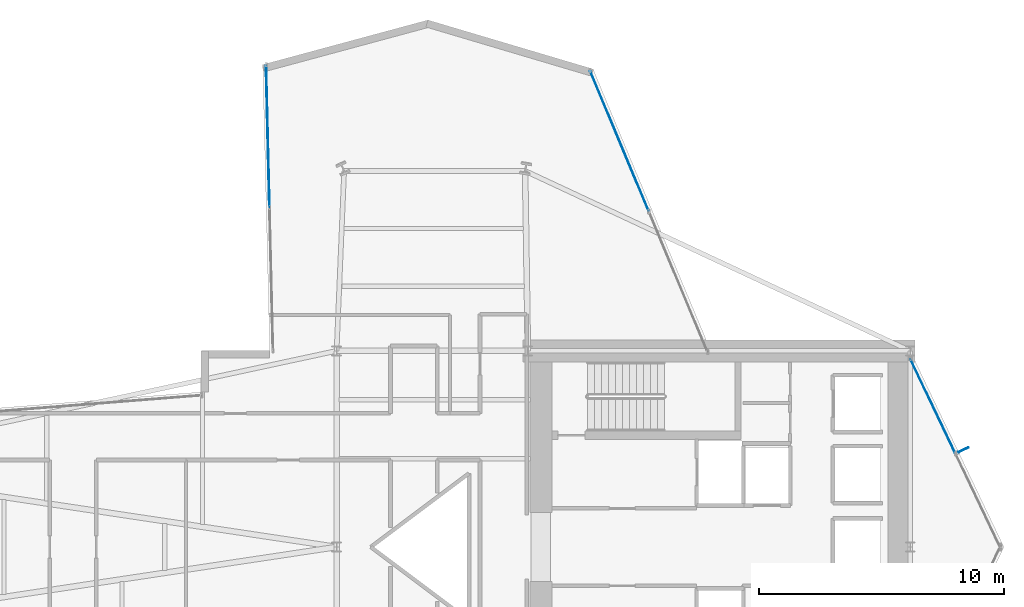
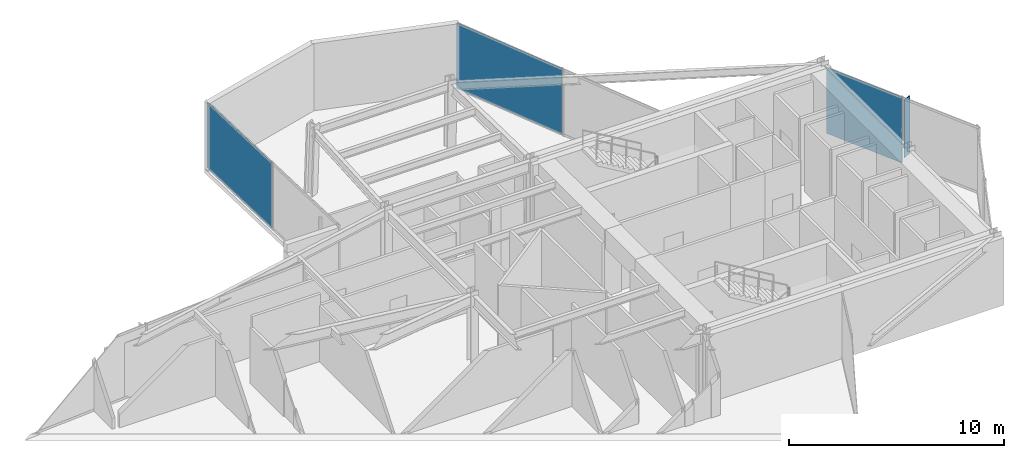
# One storey, part 21 of 25: 4 plates, 3 elements without a shape of their own.
"""IFC4 building model written with IfcOpenShell, lengths in metres."""

from ifc_helpers import new_model, si_unit, direction, frame, origin, origin_2d, place, context, subcontext, project, spatial, rectangle, extrude, material, layer, layer_set, type_object, element, aggregate, save


model = new_model("IFC4")

# Units and contexts
model_context = context("Model", 3, precision=1e-05, world=origin(), true_north=direction((0.0, 1.0)))
body_context = subcontext(model_context, "Body", "Model", "MODEL_VIEW")
ifc_project = project(units=[si_unit("LENGTHUNIT", "METRE"), si_unit("AREAUNIT", "SQUARE_METRE"), si_unit("VOLUMEUNIT", "CUBIC_METRE"), si_unit("PLANEANGLEUNIT", "RADIAN"), si_unit("MASSUNIT", "GRAM", prefix="KILO")], contexts=[model_context])

# Site, building, storey
site_placement = place(None, origin())
site = spatial("IfcSite", under=ifc_project, at=site_placement, CompositionType="ELEMENT")
building_placement = place(site_placement, origin())
building = spatial("IfcBuilding", under=site, at=building_placement, Name="Veymaron Broadcast Tower", CompositionType="ELEMENT")
storey_placement = place(building_placement, frame((0.0, 0.0, 82.35009765625)))
storey = spatial("IfcBuildingStorey", under=building, at=storey_placement, Name="L18", CompositionType="ELEMENT", Elevation=82.35009765625)

# Curtain wall, plate
ifc_material_1 = material(Name="Anodised aluminium AA 6063-T6 and laminated low-E dark glass", Category="aluminium")
ifc_layer_1 = layer(ifc_material_1, 0.179931640625)
ifc_layer_set_1 = layer_set([ifc_layer_1], Name="Anodised aluminium AA 6063-T6 and laminated low-E dark glass")
curtain_wall_type = type_object("IfcCurtainWallType", Name="CW-SYS-02", PredefinedType="NOTDEFINED", material=ifc_layer_set_1)
curtain_wall_1_placement = place(storey_placement, origin())
curtain_wall_1 = element("IfcCurtainWall", 1, at=curtain_wall_1_placement, inside=storey, type_object=curtain_wall_type, Name="L18 dark-glass curtain wall CW-L18-E3-1", PredefinedType="NOTDEFINED")
ifc_material_2 = material(Name="Double-silver solar-control dark glass IGU 32 mm", Category="glass")
ifc_layer_2 = layer(ifc_material_2, 0.031982421875)
ifc_layer_set_2 = layer_set([ifc_layer_2], Name="Double-silver solar-control dark glass IGU 32 mm")
plate_type_1 = type_object("IfcPlateType", Name="CW-PNL-02", PredefinedType="CURTAIN_PANEL", material=ifc_layer_set_2)
plate_1_placement = place(storey_placement, frame((55.52099609375, 29.7470703125, 0.039794921875), z_axis=(0.0, 0.0, 1.0), x_axis=(-0.431078122851, 0.902314608105, 0.0)))
plate_1 = element("IfcPlate", 2, at=plate_1_placement, type_object=plate_type_1, Name="CW-L18-E3-1 unitised curtain panel 1", PredefinedType="CURTAIN_PANEL", context=body_context, shape_type="SweptSolid", body=[
    extrude(rectangle(XDim=4.23095703125, YDim=0.031982421875, at=origin_2d()), origin(), (0.0, 0.0, 1.0), 3.72998046875),
])
aggregate(curtain_wall_1, [plate_1])

curtain_wall_2_placement = place(storey_placement, origin())
curtain_wall_2 = element("IfcCurtainWall", 3, at=curtain_wall_2_placement, inside=storey, type_object=curtain_wall_type, Name="L18 dark-glass curtain wall CW-L18-E5-1", PredefinedType="NOTDEFINED")
plate_2_placement = place(storey_placement, frame((42.73828125, 40.55908203125, 0.039794921875), z_axis=(0.0, 0.0, 1.0), x_axis=(-0.3854873681, 0.922713113072, 0.0)))
plate_2 = element("IfcPlate", 4, at=plate_2_placement, type_object=plate_type_1, Name="CW-L18-E5-1 unitised curtain panel 1", PredefinedType="CURTAIN_PANEL", context=body_context, shape_type="SweptSolid", body=[
    extrude(rectangle(XDim=6.1630859375, YDim=0.031982421875, at=origin_2d()), origin(), (0.0, 0.0, 1.0), 3.72998046875),
])
aggregate(curtain_wall_2, [plate_2])

curtain_wall_3_placement = place(storey_placement, origin())
curtain_wall_3 = element("IfcCurtainWall", 5, at=curtain_wall_3_placement, inside=storey, type_object=curtain_wall_type, Name="L18 dark-glass curtain wall CW-L18-E8-1", PredefinedType="NOTDEFINED")
plate_3_placement = place(storey_placement, frame((28.39501953125, 40.7529296875, 0.039794921875), z_axis=(0.0, 0.0, 1.0), x_axis=(0.024379833872, -0.999702767677, 0.0)))
plate_3 = element("IfcPlate", 6, at=plate_3_placement, type_object=plate_type_1, Name="CW-L18-E8-1 unitised curtain panel 0", PredefinedType="CURTAIN_PANEL", context=body_context, shape_type="SweptSolid", body=[
    extrude(rectangle(XDim=5.774658203125, YDim=0.031982421875, at=origin_2d()), origin(), (0.0, 0.0, 1.0), 3.72998046875),
])
aggregate(curtain_wall_3, [plate_3])

# Plate
ifc_material_3 = material(Name="Dark-anodised aluminium AA 6061-T6", Category="aluminium")
ifc_layer_3 = layer(ifc_material_3, 0.034912109375)
ifc_layer_set_3 = layer_set([ifc_layer_3], Name="Dark-anodised aluminium AA 6061-T6")
plate_type_2 = type_object("IfcPlateType", Name="FIN-CHEV-01", PredefinedType="USERDEFINED", material=ifc_layer_set_3)
plate_4_placement = place(storey_placement, frame((56.766357421875, 27.96435546875, 0.2666015625), z_axis=(0.0, 0.0, 1.0), x_axis=(0.902314608105, 0.431078122851, 0.0)))
element("IfcPlate", 7, at=plate_4_placement, inside=storey, type_object=plate_type_2, Name="CW-L18-E3-1 chevron fin 1", ObjectType="FIN", PredefinedType="USERDEFINED", context=body_context, shape_type="SweptSolid", body=[
    extrude(rectangle(XDim=0.449951171875, YDim=0.034912109375, at=origin_2d()), origin(), (0.0, 0.0, 1.0), 3.276611328125),
])

save(model, "model.ifc")
